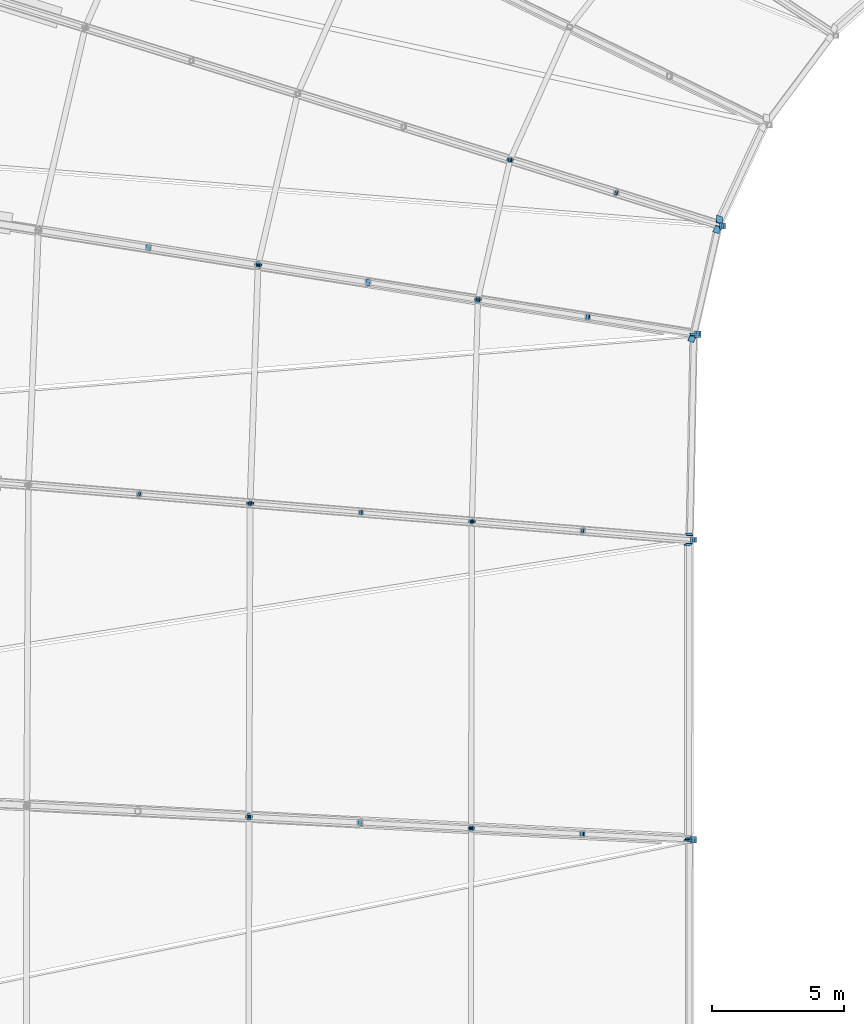
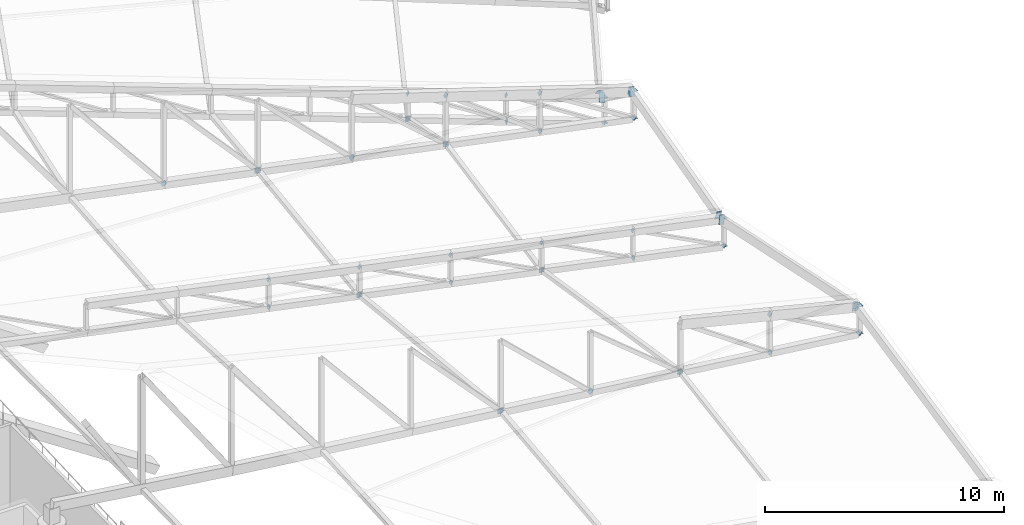
# One storey, part 312 of 344: 60 discrete accessories.
"""IFC4 building model written with IfcOpenShell, lengths in metres."""

from ifc_helpers import new_model, si_unit, direction, frame, origin, origin_2d, place, context, subcontext, project, spatial, rectangle, extrude, material, material_profile, profile_set, type_object, element, save


model = new_model("IFC4")

# Units and contexts
model_context = context("Model", 3, precision=1e-05, world=origin(), true_north=direction((0.0, 1.0)))
body_context = subcontext(model_context, "Body", "Model", "MODEL_VIEW")
ifc_project = project(units=[si_unit("LENGTHUNIT", "METRE"), si_unit("AREAUNIT", "SQUARE_METRE"), si_unit("VOLUMEUNIT", "CUBIC_METRE"), si_unit("PLANEANGLEUNIT", "RADIAN"), si_unit("MASSUNIT", "GRAM", prefix="KILO")], contexts=[model_context])

# Site, building, storey
site_placement = place(None, origin())
site = spatial("IfcSite", under=ifc_project, at=site_placement, CompositionType="ELEMENT")
building_placement = place(site_placement, origin())
building = spatial("IfcBuilding", under=site, at=building_placement, Name="Meseta Stadium", CompositionType="ELEMENT")
storey_placement = place(building_placement, frame((0.0, 0.0, 24.0)))
storey = spatial("IfcBuildingStorey", under=building, at=storey_placement, Name="L04", CompositionType="ELEMENT", Elevation=24.0)

# Discrete accessories
ifc_material_1 = material(Name="Steel S355", Category="steel")
ifc_material_profile_1 = material_profile(ifc_material_1, rectangle(XDim=0.179931640625, YDim=0.179931640625, at=origin_2d()), Name="PL 180x180")
ifc_profile_set_1 = profile_set([ifc_material_profile_1], Name="Steel S355")
discrete_accessory_type_1 = type_object("IfcDiscreteAccessoryType", Name="End plate 180x180x20", PredefinedType="ANCHORPLATE", material=ifc_profile_set_1)
discrete_accessory_1_placement = place(storey_placement, frame((-45.8662109375, 51.743896484375, -0.230224609375), z_axis=(-0.859675052741, 0.266378185356, 0.435891576038), x_axis=(-0.295976029358, -0.955195367475, 0.0)))
element("IfcDiscreteAccessory", 1, at=discrete_accessory_1_placement, inside=storey, type_object=discrete_accessory_type_1, Name="End plate of ROOF TRUSS RT-27 diagonal", PredefinedType="ANCHORPLATE", context=body_context, shape_type="SweptSolid", body=[
    extrude(rectangle(XDim=0.179931640625, YDim=0.179931640625, at=origin_2d()), origin(), (0.0, 0.0, 1.0), 0.020263671875),
])
discrete_accessory_2_placement = place(storey_placement, frame((-49.915283203125, 53.003173828125, 1.824951171875), z_axis=(-0.859235340228, 0.257770602068, 0.441892460688), x_axis=(-0.287347885566, -0.957826285221, 0.0)))
element("IfcDiscreteAccessory", 2, at=discrete_accessory_2_placement, inside=storey, type_object=discrete_accessory_type_1, Name="End plate of ROOF TRUSS RT-27 diagonal", PredefinedType="ANCHORPLATE", context=body_context, shape_type="SweptSolid", body=[
    extrude(rectangle(XDim=0.179931640625, YDim=0.179931640625, at=origin_2d()), origin(), (0.0, 0.0, 1.0), 0.019775390625),
])
discrete_accessory_3_placement = place(storey_placement, frame((-49.89794921875, 52.997802734375, 0.51611328125), z_axis=(-0.859675052741, 0.266378185356, 0.435891576038), x_axis=(-0.295976029358, -0.955195367475, 0.0)))
element("IfcDiscreteAccessory", 3, at=discrete_accessory_3_placement, inside=storey, type_object=discrete_accessory_type_1, Name="End plate of ROOF TRUSS RT-27 diagonal", PredefinedType="ANCHORPLATE", context=body_context, shape_type="SweptSolid", body=[
    extrude(rectangle(XDim=0.179931640625, YDim=0.179931640625, at=origin_2d()), origin(), (0.0, 0.0, 1.0), 0.020263671875),
])
discrete_accessory_4_placement = place(storey_placement, frame((-53.947021484375, 54.2568359375, 2.5712890625), z_axis=(-0.856465372407, 0.269174831328, 0.440467905809), x_axis=(-0.29982659674, -0.953993716901, 0.0)))
element("IfcDiscreteAccessory", 4, at=discrete_accessory_4_placement, inside=storey, type_object=discrete_accessory_type_1, Name="End plate of ROOF TRUSS RT-27 diagonal", PredefinedType="ANCHORPLATE", context=body_context, shape_type="SweptSolid", body=[
    extrude(rectangle(XDim=0.179931640625, YDim=0.179931640625, at=origin_2d()), origin(), (0.0, 0.0, 1.0), 0.02001953125),
])
discrete_accessory_5_placement = place(storey_placement, frame((-53.9296875, 54.25146484375, 1.262451171875), z_axis=(-0.859675052741, 0.266378185356, 0.435891576038), x_axis=(-0.295976029358, -0.955195367475, 0.0)))
element("IfcDiscreteAccessory", 5, at=discrete_accessory_5_placement, inside=storey, type_object=discrete_accessory_type_1, Name="End plate of ROOF TRUSS RT-27 diagonal", PredefinedType="ANCHORPLATE", context=body_context, shape_type="SweptSolid", body=[
    extrude(rectangle(XDim=0.179931640625, YDim=0.179931640625, at=origin_2d()), origin(), (0.0, 0.0, 1.0), 0.020263671875),
])
discrete_accessory_6_placement = place(storey_placement, frame((-46.96435546875, 39.832763671875, 1.090087890625), z_axis=(-0.901567911708, 0.073100100949, 0.426417255537), x_axis=(-0.080815868766, -0.996729048115, 0.0)))
element("IfcDiscreteAccessory", 6, at=discrete_accessory_6_placement, inside=storey, type_object=discrete_accessory_type_1, Name="End plate of ROOF TRUSS RT-29 diagonal", PredefinedType="ANCHORPLATE", context=body_context, shape_type="SweptSolid", body=[
    extrude(rectangle(XDim=0.179931640625, YDim=0.179931640625, at=origin_2d()), origin(), (0.0, 0.0, 1.0), 0.02001953125),
])
discrete_accessory_7_placement = place(storey_placement, frame((-51.1904296875, 40.18017578125, 3.13818359375), z_axis=(-0.899249391933, 0.073910908926, 0.431146968735), x_axis=(-0.081915556729, -0.996639273542, 0.0)))
element("IfcDiscreteAccessory", 7, at=discrete_accessory_7_placement, inside=storey, type_object=discrete_accessory_type_1, Name="End plate of ROOF TRUSS RT-29 diagonal", PredefinedType="ANCHORPLATE", context=body_context, shape_type="SweptSolid", body=[
    extrude(rectangle(XDim=0.179931640625, YDim=0.179931640625, at=origin_2d()), origin(), (0.0, 0.0, 1.0), 0.019775390625),
])
discrete_accessory_8_placement = place(storey_placement, frame((-51.17236328125, 40.1787109375, 1.7236328125), z_axis=(-0.901567911708, 0.073100100949, 0.426417255537), x_axis=(-0.080815868766, -0.996729048115, 0.0)))
element("IfcDiscreteAccessory", 8, at=discrete_accessory_8_placement, inside=storey, type_object=discrete_accessory_type_1, Name="End plate of ROOF TRUSS RT-29 diagonal", PredefinedType="ANCHORPLATE", context=body_context, shape_type="SweptSolid", body=[
    extrude(rectangle(XDim=0.179931640625, YDim=0.179931640625, at=origin_2d()), origin(), (0.0, 0.0, 1.0), 0.02001953125),
])
discrete_accessory_9_placement = place(storey_placement, frame((-55.398193359375, 40.5263671875, 3.771484375), z_axis=(-0.896854406293, 0.072717924835, 0.436307549007), x_axis=(-0.080815868766, -0.996729048115, 0.0)))
element("IfcDiscreteAccessory", 9, at=discrete_accessory_9_placement, inside=storey, type_object=discrete_accessory_type_1, Name="End plate of ROOF TRUSS RT-29 diagonal", PredefinedType="ANCHORPLATE", context=body_context, shape_type="SweptSolid", body=[
    extrude(rectangle(XDim=0.179931640625, YDim=0.179931640625, at=origin_2d()), origin(), (0.0, 0.0, 1.0), 0.020263671875),
])
discrete_accessory_10_placement = place(storey_placement, frame((-55.38037109375, 40.52490234375, 2.35693359375), z_axis=(-0.894443975619, 0.073515943202, 0.44109565921), x_axis=(-0.081915556729, -0.996639273542, 0.0)))
element("IfcDiscreteAccessory", 10, at=discrete_accessory_10_placement, inside=storey, type_object=discrete_accessory_type_1, Name="End plate of ROOF TRUSS RT-29 diagonal", PredefinedType="ANCHORPLATE", context=body_context, shape_type="SweptSolid", body=[
    extrude(rectangle(XDim=0.179931640625, YDim=0.179931640625, at=origin_2d()), origin(), (0.0, 0.0, 1.0), 0.02001953125),
])
discrete_accessory_11_placement = place(storey_placement, frame((-59.606201171875, 40.872314453125, 4.405029296875), z_axis=(-0.896854406293, 0.072717924835, 0.436307549007), x_axis=(-0.080815868766, -0.996729048115, 0.0)))
element("IfcDiscreteAccessory", 11, at=discrete_accessory_11_placement, inside=storey, type_object=discrete_accessory_type_1, Name="End plate of ROOF TRUSS RT-29 diagonal", PredefinedType="ANCHORPLATE", context=body_context, shape_type="SweptSolid", body=[
    extrude(rectangle(XDim=0.179931640625, YDim=0.179931640625, at=origin_2d()), origin(), (0.0, 0.0, 1.0), 0.020263671875),
])
for number, where, z_axis, x_axis, name in (
    (12, (-59.58837890625, 40.870849609375, 2.990478515625), (-0.894443975619, 0.073515943202, 0.44109565921), (-0.081915556729, -0.996639273542, 0.0), "End plate of ROOF TRUSS RT-29 diagonal"),
    (13, (-63.814208984375, 41.21826171875, 5.03857421875), (-0.901567911708, 0.073100100949, 0.426417255537), (-0.080815868766, -0.996729048115, 0.0), "End plate of ROOF TRUSS RT-29 diagonal"),
):
    element("IfcDiscreteAccessory", number, at=place(storey_placement, frame(where, z_axis=z_axis, x_axis=x_axis)), inside=storey, type_object=discrete_accessory_type_1, Name=name, PredefinedType="ANCHORPLATE", context=body_context, shape_type="SweptSolid", body=[
        extrude(rectangle(XDim=0.179931640625, YDim=0.179931640625, at=origin_2d()), origin(), (0.0, 0.0, 1.0), 0.02001953125),
    ])
for number, where, z_axis, x_axis, name in (
    (14, (-63.79638671875, 41.216796875, 3.6240234375), (-0.899249391933, 0.073910908926, 0.431146968735), (-0.081915556729, -0.996639273542, 0.0), "End plate of ROOF TRUSS RT-29 diagonal"),
    (15, (-68.022216796875, 41.564453125, 5.672119140625), (-0.899249391933, 0.073910908926, 0.431146968735), (-0.081915556729, -0.996639273542, 0.0), "End plate of ROOF TRUSS RT-29 diagonal"),
):
    element("IfcDiscreteAccessory", number, at=place(storey_placement, frame(where, z_axis=z_axis, x_axis=x_axis)), inside=storey, type_object=discrete_accessory_type_1, Name=name, PredefinedType="ANCHORPLATE", context=body_context, shape_type="SweptSolid", body=[
        extrude(rectangle(XDim=0.179931640625, YDim=0.179931640625, at=origin_2d()), origin(), (0.0, 0.0, 1.0), 0.019775390625),
    ])
discrete_accessory_12_placement = place(storey_placement, frame((-68.004150390625, 41.56298828125, 4.25732421875), z_axis=(-0.896854406293, 0.072717924835, 0.436307549007), x_axis=(-0.080815868766, -0.996729048115, 0.0)))
element("IfcDiscreteAccessory", 16, at=discrete_accessory_12_placement, inside=storey, type_object=discrete_accessory_type_1, Name="End plate of ROOF TRUSS RT-29 diagonal", PredefinedType="ANCHORPLATE", context=body_context, shape_type="SweptSolid", body=[
    extrude(rectangle(XDim=0.179931640625, YDim=0.179931640625, at=origin_2d()), origin(), (0.0, 0.0, 1.0), 0.020263671875),
])
ifc_material_2 = material(Name="Steel S355", Category="steel")
ifc_material_profile_2 = material_profile(ifc_material_2, rectangle(XDim=0.219970703125, YDim=0.219970703125, at=origin_2d()), Name="PL 220x220")
ifc_profile_set_2 = profile_set([ifc_material_profile_2], Name="Steel S355")
discrete_accessory_type_2 = type_object("IfcDiscreteAccessoryType", Name="End plate 220x220x20", PredefinedType="ANCHORPLATE", material=ifc_profile_set_2)
for number, where, z_axis, x_axis, name in (
    (17, (-45.883544921875, 51.749267578125, -0.241455078125), (0.0, 0.0, 1.0), (1.0, 0.0, 0.0), "End plate of ROOF TRUSS RT-27 post"),
    (18, (-45.883544921875, 51.749267578125, 1.07861328125), (0.0, 0.0, 1.0), (1.0, 0.0, 0.0), "End plate of ROOF TRUSS RT-27 post"),
    (19, (-46.81201171875, 47.630859375, 2.835693359375), (-0.863417338341, 0.133768883405, 0.486432303291), (-0.153102994509, -0.988210237284, 0.0), "End plate of ROOF TRUSS RT-28 diagonal"),
    (20, (-50.999755859375, 48.292724609375, 5.18310546875), (-0.868505590194, 0.134557204114, 0.477066450951), (-0.153102994509, -0.988210237284, 0.0), "End plate of ROOF TRUSS RT-28 diagonal"),
    (21, (-50.9833984375, 48.2900390625, 3.2236328125), (-0.816951681894, 0.134126395535, 0.56089219951), (-0.162010149383, -0.986789091699, 0.0), "End plate of ROOF TRUSS RT-28 diagonal"),
    (22, (-55.170166015625, 48.95166015625, 6.12060546875), (-0.816951681894, 0.134126395535, 0.56089219951), (-0.162010149383, -0.986789091699, 0.0), "End plate of ROOF TRUSS RT-28 diagonal"),
    (23, (-55.155029296875, 48.94921875, 3.611572265625), (-0.760407136498, 0.122646312338, 0.63776082416), (-0.159232438825, -0.987241120713, 0.0), "End plate of ROOF TRUSS RT-28 diagonal"),
):
    element("IfcDiscreteAccessory", number, at=place(storey_placement, frame(where, z_axis=z_axis, x_axis=x_axis)), inside=storey, type_object=discrete_accessory_type_2, Name=name, PredefinedType="ANCHORPLATE", context=body_context, shape_type="SweptSolid", body=[
        extrude(rectangle(XDim=0.219970703125, YDim=0.219970703125, at=origin_2d()), origin(), (0.0, 0.0, 1.0), 0.02001953125),
    ])
discrete_accessory_13_placement = place(storey_placement, frame((-46.982421875, 39.834228515625, 1.078857421875), z_axis=(0.0, 0.0, 1.0), x_axis=(1.0, 0.0, 0.0)))
element("IfcDiscreteAccessory", 24, at=discrete_accessory_13_placement, inside=storey, type_object=discrete_accessory_type_2, Name="End plate of ROOF TRUSS RT-29 post", PredefinedType="ANCHORPLATE", context=body_context, shape_type="SweptSolid", body=[
    extrude(rectangle(XDim=0.219970703125, YDim=0.219970703125, at=origin_2d()), origin(), (0.0, 0.0, 1.0), 0.019775390625),
])
for number, where, z_axis, x_axis, name in (
    (25, (-46.982421875, 39.834228515625, 2.504638671875), (0.0, 0.0, 1.0), (1.0, 0.0, 0.0), "End plate of ROOF TRUSS RT-29 post"),
    (26, (-46.973388671875, 28.45263671875, 3.526611328125), (-0.878702431126, 0.036612601297, 0.47596381686), (-0.041630544712, -0.999133073092, 0.0), "End plate of ROOF TRUSS RT-30 diagonal"),
    (27, (-51.20751953125, 28.670166015625, 5.83251953125), (-0.878244722495, 0.048791373472, 0.475715891351), (-0.055470019623, -0.998460353205, 0.0), "End plate of ROOF TRUSS RT-30 diagonal"),
):
    element("IfcDiscreteAccessory", number, at=place(storey_placement, frame(where, z_axis=z_axis, x_axis=x_axis)), inside=storey, type_object=discrete_accessory_type_2, Name=name, PredefinedType="ANCHORPLATE", context=body_context, shape_type="SweptSolid", body=[
        extrude(rectangle(XDim=0.219970703125, YDim=0.219970703125, at=origin_2d()), origin(), (0.0, 0.0, 1.0), 0.02001953125),
    ])
discrete_accessory_14_placement = place(storey_placement, frame((-51.191162109375, 28.66943359375, 3.873046875), z_axis=(-0.823839683072, 0.036888344018, 0.565621274945), x_axis=(-0.044731300944, -0.998999054412, 0.0)))
element("IfcDiscreteAccessory", 28, at=discrete_accessory_14_placement, inside=storey, type_object=discrete_accessory_type_2, Name="End plate of ROOF TRUSS RT-30 diagonal", PredefinedType="ANCHORPLATE", context=body_context, shape_type="SweptSolid", body=[
    extrude(rectangle(XDim=0.219970703125, YDim=0.219970703125, at=origin_2d()), origin(), (0.0, 0.0, 1.0), 0.019775390625),
])
discrete_accessory_15_placement = place(storey_placement, frame((-55.40869140625, 28.88623046875, 4.219970703125), z_axis=(-0.781534581333, 0.0366344335, 0.6227853695), x_axis=(-0.046823586299, -0.99890317437, 0.0)))
element("IfcDiscreteAccessory", 29, at=discrete_accessory_15_placement, inside=storey, type_object=discrete_accessory_type_2, Name="End plate of ROOF TRUSS RT-30 diagonal", PredefinedType="ANCHORPLATE", context=body_context, shape_type="SweptSolid", body=[
    extrude(rectangle(XDim=0.219970703125, YDim=0.219970703125, at=origin_2d()), origin(), (0.0, 0.0, 1.0), 0.02001953125),
])
ifc_material_3 = material(Name="Steel S355", Category="steel")
ifc_material_profile_3 = material_profile(ifc_material_3, rectangle(XDim=0.239990234375, YDim=0.239990234375, at=origin_2d()), Name="PL 240x240")
ifc_profile_set_3 = profile_set([ifc_material_profile_3], Name="Steel S355")
discrete_accessory_type_3 = type_object("IfcDiscreteAccessoryType", Name="End plate 240x240x20", PredefinedType="ANCHORPLATE", material=ifc_profile_set_3)
for number, where, z_axis, x_axis, name in (
    (30, (-46.829345703125, 47.633544921875, 2.825439453125), (0.0, 0.0, 1.0), (1.0, 0.0, 0.0), "End plate of ROOF TRUSS RT-28 post"),
    (31, (-46.829345703125, 47.633544921875, 4.245361328125), (0.0, 0.0, 1.0), (1.0, 0.0, 0.0), "End plate of ROOF TRUSS RT-28 post"),
):
    element("IfcDiscreteAccessory", number, at=place(storey_placement, frame(where, z_axis=z_axis, x_axis=x_axis)), inside=storey, type_object=discrete_accessory_type_3, Name=name, PredefinedType="ANCHORPLATE", context=body_context, shape_type="SweptSolid", body=[
        extrude(rectangle(XDim=0.239990234375, YDim=0.239990234375, at=origin_2d()), origin(), (0.0, 0.0, 1.0), 0.02001953125),
    ])
discrete_accessory_16_placement = place(storey_placement, frame((-59.326416015625, 49.608642578125, 4.0), z_axis=(-0.714960499205, 0.110942146428, 0.690306688887), x_axis=(-0.153337329832, -0.988173903359, 0.0)))
element("IfcDiscreteAccessory", 32, at=discrete_accessory_16_placement, inside=storey, type_object=discrete_accessory_type_3, Name="End plate of ROOF TRUSS RT-28 diagonal", PredefinedType="ANCHORPLATE", context=body_context, shape_type="SweptSolid", body=[
    extrude(rectangle(XDim=0.239990234375, YDim=0.239990234375, at=origin_2d()), origin(), (0.0, 0.0, 1.0), 0.019775390625),
])
discrete_accessory_17_placement = place(storey_placement, frame((-63.49755859375, 50.267822265625, 4.388427734375), z_axis=(-0.678252463745, 0.109004860245, 0.726699068299), x_axis=(-0.158678095384, -0.987330371277, 0.0)))
element("IfcDiscreteAccessory", 33, at=discrete_accessory_17_placement, inside=storey, type_object=discrete_accessory_type_3, Name="End plate of ROOF TRUSS RT-28 diagonal", PredefinedType="ANCHORPLATE", context=body_context, shape_type="SweptSolid", body=[
    extrude(rectangle(XDim=0.239990234375, YDim=0.239990234375, at=origin_2d()), origin(), (0.0, 0.0, 1.0), 0.020263671875),
])
for number, where, z_axis, x_axis, name in (
    (34, (-67.6689453125, 50.927001953125, 4.777099609375), (-0.633534208227, 0.097466801266, 0.767551059967), (-0.152057184254, -0.988371697651, 0.0), "End plate of ROOF TRUSS RT-28 diagonal"),
    (35, (-46.990966796875, 28.453369140625, 3.51611328125), (0.0, 0.0, 1.0), (1.0, 0.0, 0.0), "End plate of ROOF TRUSS RT-30 post"),
    (36, (-46.990966796875, 28.453369140625, 4.936279296875), (0.0, 0.0, 1.0), (1.0, 0.0, 0.0), "End plate of ROOF TRUSS RT-30 post"),
    (37, (-59.626220703125, 29.102783203125, 4.56689453125), (-0.730188575267, 0.048679238351, 0.681509336916), (-0.066519010524, -0.997785157857, 0.0), "End plate of ROOF TRUSS RT-30 diagonal"),
    (38, (-63.84375, 29.319580078125, 4.9140625), (-0.681862882377, 0.036528368699, 0.730567373975), (-0.053494721372, -0.99856813227, 0.0), "End plate of ROOF TRUSS RT-30 diagonal"),
):
    element("IfcDiscreteAccessory", number, at=place(storey_placement, frame(where, z_axis=z_axis, x_axis=x_axis)), inside=storey, type_object=discrete_accessory_type_3, Name=name, PredefinedType="ANCHORPLATE", context=body_context, shape_type="SweptSolid", body=[
        extrude(rectangle(XDim=0.239990234375, YDim=0.239990234375, at=origin_2d()), origin(), (0.0, 0.0, 1.0), 0.02001953125),
    ])
discrete_accessory_18_placement = place(storey_placement, frame((-53.947021484375, 54.2568359375, 1.271240234375), z_axis=(-0.368911329906, -0.836199014454, -0.405802462897), x_axis=(0.914917801573, -0.403640206576, 0.0)))
element("IfcDiscreteAccessory", 39, at=discrete_accessory_18_placement, inside=storey, type_object=discrete_accessory_type_3, Name="End plate of ROOF TRUSS STRUT RT-26/27", PredefinedType="ANCHORPLATE", context=body_context, shape_type="SweptSolid", body=[
    extrude(rectangle(XDim=0.239990234375, YDim=0.239990234375, at=origin_2d()), origin(), (0.0, 0.0, 1.0), 0.019775390625),
])
discrete_accessory_19_placement = place(storey_placement, frame((-53.94287109375, 54.27490234375, 1.263427734375), z_axis=(-0.206322227095, -0.898108517943, 0.388371251002), x_axis=(0.974612694662, -0.223897510936, 0.0)))
element("IfcDiscreteAccessory", 40, at=discrete_accessory_19_placement, inside=storey, type_object=discrete_accessory_type_3, Name="End plate of ROOF TRUSS STRUT RT-27/28", PredefinedType="ANCHORPLATE", context=body_context, shape_type="SweptSolid", body=[
    extrude(rectangle(XDim=0.239990234375, YDim=0.239990234375, at=origin_2d()), origin(), (0.0, 0.0, 1.0), 0.02001953125),
])
discrete_accessory_20_placement = place(storey_placement, frame((-55.170166015625, 48.95166015625, 3.624267578125), z_axis=(-0.208592882586, -0.895722378163, 0.392645426044), x_axis=(0.973939528804, -0.226807835475, 0.0)))
element("IfcDiscreteAccessory", 41, at=discrete_accessory_20_placement, inside=storey, type_object=discrete_accessory_type_3, Name="End plate of ROOF TRUSS STRUT RT-27/28", PredefinedType="ANCHORPLATE", context=body_context, shape_type="SweptSolid", body=[
    extrude(rectangle(XDim=0.239990234375, YDim=0.239990234375, at=origin_2d()), origin(), (0.0, 0.0, 1.0), 0.019775390625),
])
for number, where, z_axis, x_axis, name in (
    (42, (-55.169677734375, 48.971435546875, 3.627197265625), (-0.024417494565, -0.98890852989, -0.146504967391), (0.999695307732, -0.024683834759, 0.0), "End plate of ROOF TRUSS STRUT RT-28/29"),
    (43, (-55.398193359375, 40.5263671875, 2.36572265625), (-0.036612601297, -0.988540235017, -0.146450405188), (0.999314833767, -0.03701166051, 0.0), "End plate of ROOF TRUSS STRUT RT-28/29"),
):
    element("IfcDiscreteAccessory", number, at=place(storey_placement, frame(where, z_axis=z_axis, x_axis=x_axis)), inside=storey, type_object=discrete_accessory_type_3, Name=name, PredefinedType="ANCHORPLATE", context=body_context, shape_type="SweptSolid", body=[
        extrude(rectangle(XDim=0.239990234375, YDim=0.239990234375, at=origin_2d()), origin(), (0.0, 0.0, 1.0), 0.02001953125),
    ])
discrete_accessory_21_placement = place(storey_placement, frame((-55.398193359375, 40.5458984375, 2.362548828125), z_axis=(0.0, -0.987052734624, 0.160396069376), x_axis=(1.0, 0.0, 0.0)))
element("IfcDiscreteAccessory", 44, at=discrete_accessory_21_placement, inside=storey, type_object=discrete_accessory_type_3, Name="End plate of ROOF TRUSS STRUT RT-29/30", PredefinedType="ANCHORPLATE", context=body_context, shape_type="SweptSolid", body=[
    extrude(rectangle(XDim=0.239990234375, YDim=0.239990234375, at=origin_2d()), origin(), (0.0, 0.0, 1.0), 0.019775390625),
])
for number, where, z_axis, x_axis, name in (
    (45, (-55.42431640625, 28.886962890625, 4.232421875), (0.0, -0.987364450794, 0.15846589951), (1.0, 0.0, 0.0), "End plate of ROOF TRUSS STRUT RT-29/30"),
    (46, (-55.42431640625, 28.90673828125, 4.235595703125), (0.0, -0.987364450794, -0.15846589951), (1.0, 0.0, 0.0), "End plate of ROOF TRUSS STRUT RT-30/31"),
):
    element("IfcDiscreteAccessory", number, at=place(storey_placement, frame(where, z_axis=z_axis, x_axis=x_axis)), inside=storey, type_object=discrete_accessory_type_3, Name=name, PredefinedType="ANCHORPLATE", context=body_context, shape_type="SweptSolid", body=[
        extrude(rectangle(XDim=0.239990234375, YDim=0.239990234375, at=origin_2d()), origin(), (0.0, 0.0, 1.0), 0.02001953125),
    ])
ifc_material_4 = material(Name="Steel S355", Category="steel")
ifc_material_profile_4 = material_profile(ifc_material_4, rectangle(XDim=0.239990234375, YDim=0.43994140625, at=origin_2d()), Name="PL 240x440")
ifc_profile_set_4 = profile_set([ifc_material_profile_4], Name="Steel S355")
discrete_accessory_type_4 = type_object("IfcDiscreteAccessoryType", Name="End plate 240x440x20", PredefinedType="ANCHORPLATE", material=ifc_profile_set_4)
for number, where, z_axis, x_axis, name in (
    (47, (-45.99951171875, 51.989501953125, 1.230712890625), (-0.329121483598, -0.731381074662, -0.597294544308), (0.943390783976, -0.282233927299, -0.174235010805), "End plate of TIP RING BEAM 27"),
    (48, (-46.083740234375, 51.6240234375, 1.210693359375), (-0.1829540404, -0.780603905705, 0.597649865305), (0.945899422661, -0.305458387093, -0.109405008858), "End plate of TIP RING BEAM 28"),
    (49, (-47.033203125, 47.49365234375, 4.345947265625), (-0.1829540404, -0.780603905705, 0.597649865305), (0.945899422661, -0.305458387093, -0.109405008858), "End plate of TIP RING BEAM 28"),
    (50, (-46.994140625, 47.63671875, 4.315673828125), (-0.024382992455, -0.975319698188, -0.219446932092), (0.991725841639, 0.004076412632, -0.12830914966), "End plate of TIP RING BEAM 29"),
):
    element("IfcDiscreteAccessory", number, at=place(storey_placement, frame(where, z_axis=z_axis, x_axis=x_axis)), inside=storey, type_object=discrete_accessory_type_4, Name=name, PredefinedType="ANCHORPLATE", context=body_context, shape_type="SweptSolid", body=[
        extrude(rectangle(XDim=0.239990234375, YDim=0.43994140625, at=origin_2d()), origin(), (0.0, 0.0, 1.0), 0.02001953125),
    ])
discrete_accessory_22_placement = place(storey_placement, frame((-47.143310546875, 40.04296875, 2.58349609375), z_axis=(-0.012340977508, -0.974937223156, -0.222137595149), x_axis=(0.991604557021, 0.016664787455, -0.128229042553)))
element("IfcDiscreteAccessory", 51, at=discrete_accessory_22_placement, inside=storey, type_object=discrete_accessory_type_4, Name="End plate of TIP RING BEAM 29", PredefinedType="ANCHORPLATE", context=body_context, shape_type="SweptSolid", body=[
    extrude(rectangle(XDim=0.239990234375, YDim=0.43994140625, at=origin_2d()), origin(), (0.0, 0.0, 1.0), 0.019775390625),
])
discrete_accessory_23_placement = place(storey_placement, frame((-47.18701171875, 39.6748046875, 2.587890625), z_axis=(0.0, -0.980580675691, 0.196116135138), x_axis=(0.976967325805, -0.041849016305, -0.209245081526)))
element("IfcDiscreteAccessory", 52, at=discrete_accessory_23_placement, inside=storey, type_object=discrete_accessory_type_4, Name="End plate of TIP RING BEAM 30", PredefinedType="ANCHORPLATE", context=body_context, shape_type="SweptSolid", body=[
    extrude(rectangle(XDim=0.239990234375, YDim=0.43994140625, at=origin_2d()), origin(), (0.0, 0.0, 1.0), 0.02001953125),
])
discrete_accessory_24_placement = place(storey_placement, frame((-47.1953125, 28.484375, 4.951416015625), z_axis=(0.0, -0.978677791195, 0.205401511732), x_axis=(0.976967325805, -0.043830413074, -0.208839027)))
element("IfcDiscreteAccessory", 53, at=discrete_accessory_24_placement, inside=storey, type_object=discrete_accessory_type_4, Name="End plate of TIP RING BEAM 30", PredefinedType="ANCHORPLATE", context=body_context, shape_type="SweptSolid", body=[
    extrude(rectangle(XDim=0.239990234375, YDim=0.43994140625, at=origin_2d()), origin(), (0.0, 0.0, 1.0), 0.020263671875),
])
discrete_accessory_25_placement = place(storey_placement, frame((-47.1591796875, 28.4443359375, 4.941650390625), z_axis=(0.0, -0.978158850918, -0.20785875582), x_axis=(0.990373917729, 0.028771363498, -0.135394651757)))
element("IfcDiscreteAccessory", 54, at=discrete_accessory_25_placement, inside=storey, type_object=discrete_accessory_type_4, Name="End plate of TIP RING BEAM 31", PredefinedType="ANCHORPLATE", context=body_context, shape_type="SweptSolid", body=[
    extrude(rectangle(XDim=0.239990234375, YDim=0.43994140625, at=origin_2d()), origin(), (0.0, 0.0, 1.0), 0.02001953125),
])
ifc_material_5 = material(Name="Steel S355", Category="steel")
ifc_material_profile_5 = material_profile(ifc_material_5, rectangle(XDim=0.260009765625, YDim=0.260009765625, at=origin_2d()), Name="PL 260x260")
ifc_profile_set_5 = profile_set([ifc_material_profile_5], Name="Steel S355")
discrete_accessory_type_5 = type_object("IfcDiscreteAccessoryType", Name="End plate 260x260x20", PredefinedType="ANCHORPLATE", material=ifc_profile_set_5)
discrete_accessory_26_placement = place(storey_placement, frame((-63.51123046875, 50.27001953125, 4.403076171875), z_axis=(-0.2071630829, -0.950512968599, 0.2315352103), x_axis=(0.977063170927, -0.212949665458, 0.0)))
element("IfcDiscreteAccessory", 55, at=discrete_accessory_26_placement, inside=storey, type_object=discrete_accessory_type_5, Name="End plate of ROOF TRUSS STRUT RT-27/28", PredefinedType="ANCHORPLATE", context=body_context, shape_type="SweptSolid", body=[
    extrude(rectangle(XDim=0.260009765625, YDim=0.260009765625, at=origin_2d()), origin(), (0.0, 0.0, 1.0), 0.02001953125),
])
for number, where, z_axis, x_axis, name in (
    (56, (-63.510498046875, 50.289794921875, 4.40478515625), (-0.036874408638, -0.995609033221, -0.086040286822), (0.999314833767, -0.03701166051, 0.0), "End plate of ROOF TRUSS STRUT RT-28/29"),
    (57, (-63.814208984375, 41.21826171875, 3.632568359375), (-0.036874408638, -0.995609033221, -0.086040286822), (0.999314833767, -0.03701166051, 0.0), "End plate of ROOF TRUSS STRUT RT-28/29"),
):
    element("IfcDiscreteAccessory", number, at=place(storey_placement, frame(where, z_axis=z_axis, x_axis=x_axis)), inside=storey, type_object=discrete_accessory_type_5, Name=name, PredefinedType="ANCHORPLATE", context=body_context, shape_type="SweptSolid", body=[
        extrude(rectangle(XDim=0.260009765625, YDim=0.260009765625, at=origin_2d()), origin(), (0.0, 0.0, 1.0), 0.019775390625),
    ])
discrete_accessory_27_placement = place(storey_placement, frame((-63.814208984375, 41.23828125, 3.63037109375), z_axis=(0.0, -0.994030677348, 0.109100928002), x_axis=(1.0, 0.0, 0.0)))
element("IfcDiscreteAccessory", 58, at=discrete_accessory_27_placement, inside=storey, type_object=discrete_accessory_type_5, Name="End plate of ROOF TRUSS STRUT RT-29/30", PredefinedType="ANCHORPLATE", context=body_context, shape_type="SweptSolid", body=[
    extrude(rectangle(XDim=0.260009765625, YDim=0.260009765625, at=origin_2d()), origin(), (0.0, 0.0, 1.0), 0.02001953125),
])
discrete_accessory_28_placement = place(storey_placement, frame((-63.857421875, 29.3203125, 4.9287109375), z_axis=(-0.012284975204, -0.995082991502, 0.09827980163), x_axis=(0.999923800815, -0.012344738282, 0.0)))
element("IfcDiscreteAccessory", 59, at=discrete_accessory_28_placement, inside=storey, type_object=discrete_accessory_type_5, Name="End plate of ROOF TRUSS STRUT RT-29/30", PredefinedType="ANCHORPLATE", context=body_context, shape_type="SweptSolid", body=[
    extrude(rectangle(XDim=0.260009765625, YDim=0.260009765625, at=origin_2d()), origin(), (0.0, 0.0, 1.0), 0.019775390625),
])
discrete_accessory_29_placement = place(storey_placement, frame((-63.857421875, 29.34033203125, 4.930908203125), z_axis=(0.0, -0.994030677348, -0.109100928002), x_axis=(1.0, 0.0, 0.0)))
element("IfcDiscreteAccessory", 60, at=discrete_accessory_29_placement, inside=storey, type_object=discrete_accessory_type_5, Name="End plate of ROOF TRUSS STRUT RT-30/31", PredefinedType="ANCHORPLATE", context=body_context, shape_type="SweptSolid", body=[
    extrude(rectangle(XDim=0.260009765625, YDim=0.260009765625, at=origin_2d()), origin(), (0.0, 0.0, 1.0), 0.02001953125),
])

save(model, "model.ifc")
